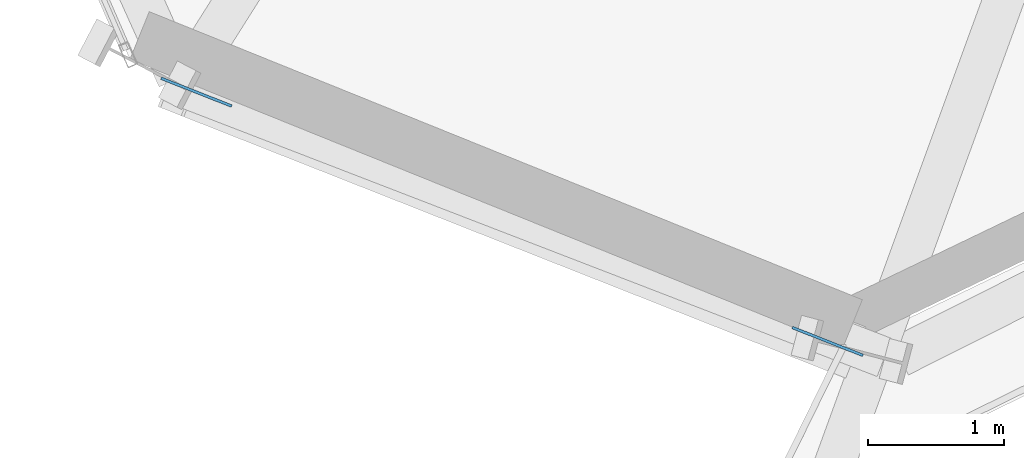
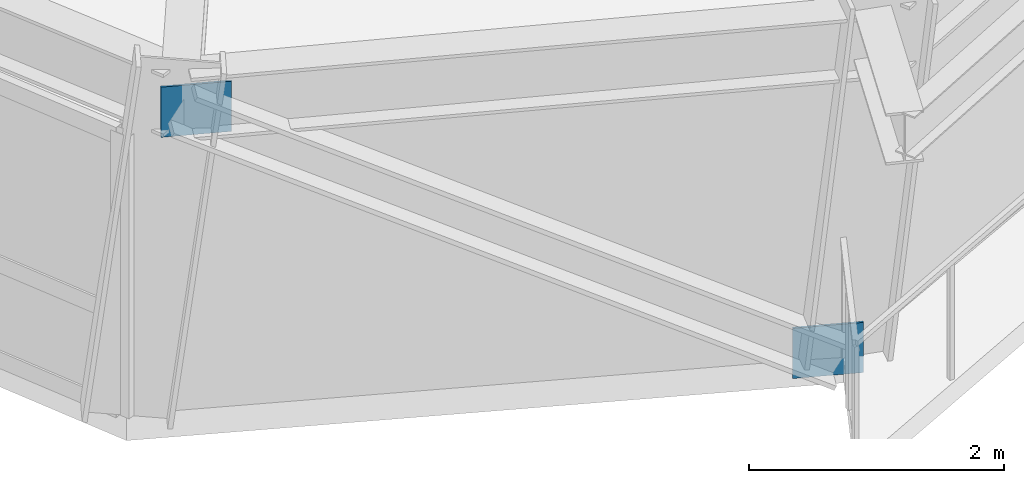
# One storey, part 10 of 19: 2 plates.
"""IFC4 building model written with IfcOpenShell, lengths in metres."""

from ifc_helpers import new_model, si_unit, direction, frame, origin, origin_2d, place, context, subcontext, project, spatial, rectangle, extrude, source, transform, mapped, material, type_object, element, save


model = new_model("IFC4")

# Units and contexts
model_context = context("Model", 3, precision=1e-05, world=origin(), true_north=direction((0.0, 1.0)))
body_context = subcontext(model_context, "Body", "Model", "MODEL_VIEW")
ifc_project = project(units=[si_unit("LENGTHUNIT", "METRE"), si_unit("AREAUNIT", "SQUARE_METRE"), si_unit("VOLUMEUNIT", "CUBIC_METRE"), si_unit("PLANEANGLEUNIT", "RADIAN"), si_unit("MASSUNIT", "GRAM", prefix="KILO")], contexts=[model_context])

# Site, building, storey
site_placement = place(None, origin())
site = spatial("IfcSite", under=ifc_project, at=site_placement, CompositionType="ELEMENT")
building_placement = place(site_placement, origin())
building = spatial("IfcBuilding", under=site, at=building_placement, Name="Olszyna Solenne Hotel", CompositionType="ELEMENT")
storey_placement = place(building_placement, frame((0.0, 0.0, 84.39990234375)))
storey = spatial("IfcBuildingStorey", under=building, at=storey_placement, Name="L21", CompositionType="ELEMENT", Elevation=84.39990234375)

# Plates
ifc_material = material(Name="Steel S355J2", Category="steel")
plate_type = type_object("IfcPlateType", Name="GP-ND2", PredefinedType="USERDEFINED", material=ifc_material)
shared_shape = source(origin(), body_context, "Body", "SweptSolid", [
    extrude(rectangle(XDim=0.56005859375, YDim=0.02001953125, at=origin_2d()), origin(), (0.0, 0.0, 1.0), 0.47998046875),
])
for number, where, z_axis, x_axis, name in (
    (1, (29.197265625, 3.25048828125, -0.1611328125), (0.0, 0.0, 1.0), (-0.93009738109, 0.367313029567, 0.0), "Brace end connection gusset plate GP-ND2 EP-BR-L21-3-1"),
    (2, (24.541748046875, 5.089111328125, 2.661376953125), (0.0, 0.0, 1.0), (-0.93009738109, 0.367313029567, 0.0), "Brace end connection gusset plate GP-ND2 EP-BR-L21-3-2"),
):
    element("IfcPlate", number, at=place(storey_placement, frame(where, z_axis=z_axis, x_axis=x_axis)), inside=storey, type_object=plate_type, Name=name, ObjectType="GUSSET_PLATE", PredefinedType="USERDEFINED", context=body_context, shape_type="MappedRepresentation", body=[
        mapped(shared_shape, transform((0.0, 0.0, 0.0), x_axis=(1.0, 0.0, 0.0), y_axis=(0.0, 1.0, 0.0), z_axis=(0.0, 0.0, 1.0), scale=1.0)),
    ])

save(model, "model.ifc")
